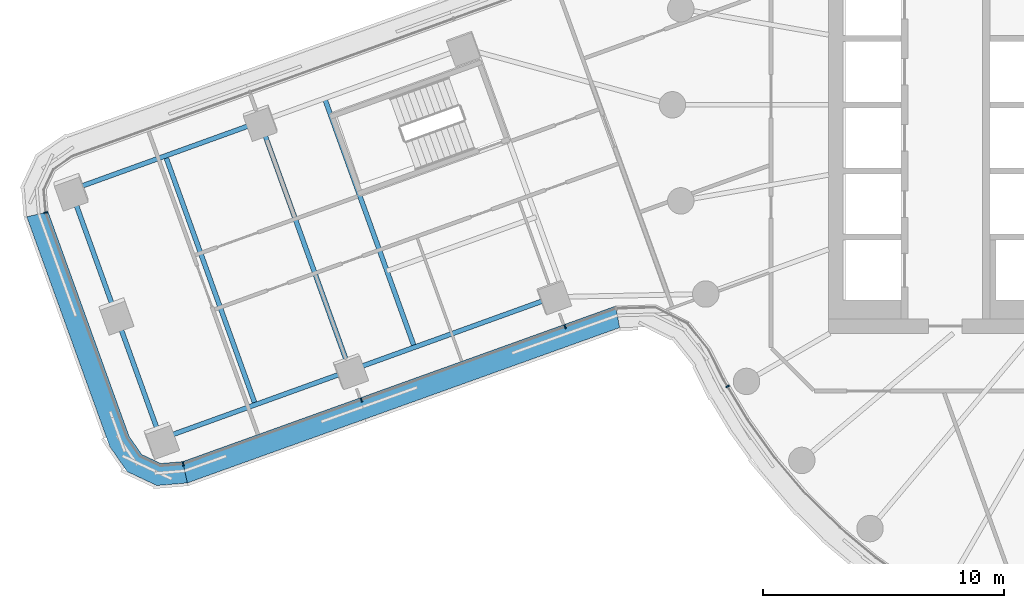
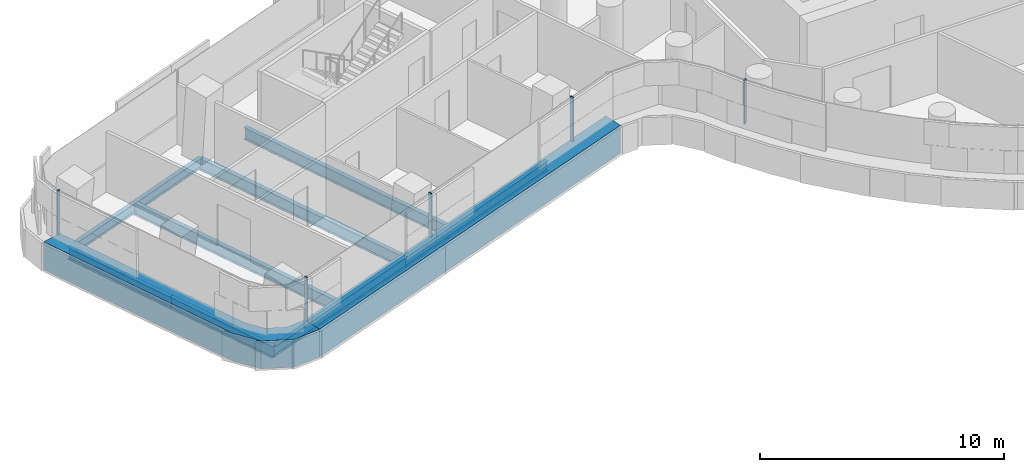
# One storey, part 4 of 30: 8 beams, 7 members, 3 elements without a shape of their own.
"""IFC4 building model written with IfcOpenShell, lengths in metres."""

from ifc_helpers import new_model, si_unit, direction, frame, origin, origin_2d, place, context, subcontext, project, spatial, polyline, rectangle, i_section, outline, extrude, material, layer, layer_set, material_profile, profile_set, type_object, element, aggregate, save


model = new_model("IFC4")

# Units and contexts
model_context = context("Model", 3, precision=1e-05, world=origin(), true_north=direction((0.0, 1.0)))
body_context = subcontext(model_context, "Body", "Model", "MODEL_VIEW")
ifc_project = project(units=[si_unit("LENGTHUNIT", "METRE"), si_unit("AREAUNIT", "SQUARE_METRE"), si_unit("VOLUMEUNIT", "CUBIC_METRE"), si_unit("PLANEANGLEUNIT", "RADIAN"), si_unit("MASSUNIT", "GRAM", prefix="KILO")], contexts=[model_context])

# Site, building, storey
site_placement = place(None, origin())
site = spatial("IfcSite", under=ifc_project, at=site_placement, CompositionType="ELEMENT")
building_placement = place(site_placement, origin())
building = spatial("IfcBuilding", under=site, at=building_placement, Name="Tamarind Cross Interchange Tower", CompositionType="ELEMENT")
storey_placement = place(building_placement, frame((0.0, 0.0, 106.0)))
storey = spatial("IfcBuildingStorey", under=building, at=storey_placement, Name="L25", CompositionType="ELEMENT", Elevation=106.0)

# Beams
ifc_material_1 = material(Name="Steel Q355B", Category="steel")
ifc_material_profile_1 = material_profile(ifc_material_1, i_section(OverallWidth=0.198974609375, OverallDepth=0.49609375, WebThickness=0.009033203125, FlangeThickness=0.013916015625, FilletRadius=0.012939453125, at=origin_2d()), Name="HN 496x199x9x14")
ifc_profile_set_1 = profile_set([ifc_material_profile_1], Name="Steel Q355B")
beam_type_1 = type_object("IfcBeamType", Name="Composite beam HN 496x199x9x14 Q355B", PredefinedType="BEAM", material=ifc_profile_set_1)
for number, where, z_axis, x_axis, name in (
    (1, (-48.010009765625, -3.54296875, -0.387939453125), (0.94057383392, 0.339589256227, 0.0), (-0.339589256227, 0.94057383392, 0.0), "Beam W-edgeem5"),
    (2, (-44.274658203125, -13.889404296875, -0.387939453125), (0.94057383392, 0.339589256227, 0.0), (-0.339589256227, 0.94057383392, 0.0), "Beam W-edgeep2"),
):
    element("IfcBeam", number, at=place(storey_placement, frame(where, z_axis=z_axis, x_axis=x_axis)), inside=storey, type_object=beam_type_1, Name=name, PredefinedType="BEAM", context=body_context, shape_type="SweptSolid", body=[
        extrude(i_section(OverallWidth=0.198974609375, OverallDepth=0.49609375, WebThickness=0.009033203125, FlangeThickness=0.013916015625, FilletRadius=0.012939453125, at=origin_2d()), origin(), (0.0, 0.0, 1.0), 8.36767578125),
    ])
beam_1_placement = place(storey_placement, frame((-36.404296875, -11.0478515625, -0.387939453125), z_axis=(0.940578209837, 0.339577135833, 0.0), x_axis=(-0.339577135833, 0.940578209837, 0.0)))
element("IfcBeam", 3, at=beam_1_placement, inside=storey, type_object=beam_type_1, Name="Beam W-edgeep3", PredefinedType="BEAM", context=body_context, shape_type="SweptSolid", body=[
    extrude(i_section(OverallWidth=0.198974609375, OverallDepth=0.49609375, WebThickness=0.009033203125, FlangeThickness=0.013916015625, FilletRadius=0.012939453125, at=origin_2d()), origin(), (0.0, 0.0, 1.0), 8.999755859375),
])
ifc_material_profile_2 = material_profile(ifc_material_1, i_section(OverallWidth=0.199951171875, OverallDepth=0.60009765625, WebThickness=0.010986328125, FlangeThickness=0.01708984375, FilletRadius=0.012939453125, at=origin_2d()), Name="HN 600x200x11x17")
ifc_profile_set_2 = profile_set([ifc_material_profile_2], Name="Steel Q355B")
beam_type_2 = type_object("IfcBeamType", Name="Composite beam HN 600x200x11x17 Q355B", PredefinedType="BEAM", material=ifc_profile_set_2)
beam_2_placement = place(storey_placement, frame((-48.010009765625, -3.54296875, -0.43994140625), z_axis=(0.339582286957, -0.940576350109, 0.0), x_axis=(0.940576350109, 0.339582286957, 0.0)))
element("IfcBeam", 4, at=beam_2_placement, inside=storey, type_object=beam_type_2, Name="Beam W-tip0", PredefinedType="BEAM", context=body_context, shape_type="SweptSolid", body=[
    extrude(i_section(OverallWidth=0.199951171875, OverallDepth=0.60009765625, WebThickness=0.010986328125, FlangeThickness=0.01708984375, FilletRadius=0.012939453125, at=origin_2d()), origin(), (0.0, 0.0, 1.0), 5.5),
])
beam_3_placement = place(storey_placement, frame((-46.142333984375, -8.716064453125, -0.43994140625), z_axis=(0.339568109259, -0.940581468653, 0.0), x_axis=(0.940581468653, 0.339568109259, 0.0)))
element("IfcBeam", 5, at=beam_3_placement, inside=storey, type_object=beam_type_2, Name="Beam W-tip1", PredefinedType="BEAM", context=body_context, shape_type="SweptSolid", body=[
    extrude(i_section(OverallWidth=0.199951171875, OverallDepth=0.60009765625, WebThickness=0.010986328125, FlangeThickness=0.01708984375, FilletRadius=0.012939453125, at=origin_2d()), origin(), (0.0, 0.0, 1.0), 5.500244140625),
])
for number, where, z_axis, x_axis, name in (
    (6, (-37.458984375, 0.266357421875, -0.43994140625), (0.33957519797, -0.940578909462, 0.0), (0.940578909462, 0.33957519797, 0.0), "Beam W-x364"),
    (7, (-40.1396484375, -0.701416015625, -0.43994140625), (0.33957519797, -0.940578909462, 0.0), (0.940578909462, 0.33957519797, 0.0), "Beam W-x393"),
):
    element("IfcBeam", number, at=place(storey_placement, frame(where, z_axis=z_axis, x_axis=x_axis)), inside=storey, type_object=beam_type_2, Name=name, PredefinedType="BEAM", context=body_context, shape_type="SweptSolid", body=[
        extrude(i_section(OverallWidth=0.199951171875, OverallDepth=0.60009765625, WebThickness=0.010986328125, FlangeThickness=0.01708984375, FilletRadius=0.012939453125, at=origin_2d()), origin(), (0.0, 0.0, 1.0), 11.0),
    ])
beam_4_placement = place(storey_placement, frame((-44.07470703125, -2.122314453125, -0.43994140625), z_axis=(0.339582286957, -0.940576350109, 0.0), x_axis=(0.940576350109, 0.339582286957, 0.0)))
element("IfcBeam", 8, at=beam_4_placement, inside=storey, type_object=beam_type_2, Name="Beam W-x435", PredefinedType="BEAM", context=body_context, shape_type="SweptSolid", body=[
    extrude(i_section(OverallWidth=0.199951171875, OverallDepth=0.60009765625, WebThickness=0.010986328125, FlangeThickness=0.01708984375, FilletRadius=0.012939453125, at=origin_2d()), origin(), (0.0, 0.0, 1.0), 10.999755859375),
])

# Curtain wall, member
ifc_material_2 = material(Name="Aluminium 6063-T6", Category="aluminium")
ifc_layer = layer(ifc_material_2, 0.159912109375)
ifc_layer_set = layer_set([ifc_layer], Name="Aluminium 6063-T6")
curtain_wall_type = type_object("IfcCurtainWallType", Name="Office curtain wall, 9.0 m bays", PredefinedType="NOTDEFINED", material=ifc_layer_set)
curtain_wall_1_placement = place(storey_placement, origin())
curtain_wall_1 = element("IfcCurtainWall", 9, at=curtain_wall_1_placement, inside=storey, type_object=curtain_wall_type, Name="CWS-L25-00", PredefinedType="NOTDEFINED")
ifc_material_3 = material(Name="Aluminium and insulated spandrel panel", Category="aluminium")
member_type_1 = type_object("IfcMemberType", Name="Floor-edge blade transom", PredefinedType="USERDEFINED", material=ifc_material_3)
member_1_placement = place(storey_placement, origin())
member_1 = element("IfcMember", 10, at=member_1_placement, type_object=member_type_1, Name="CWT-L25-00", ObjectType="TRANSOM", PredefinedType="USERDEFINED", context=body_context, shape_type="SweptSolid", body=[
    extrude(outline(polyline([(-48.955322265625, -4.457763671875), (-45.58642578125, -13.789306640625), (-45.0634765625, -14.54052734375), (-44.271728515625, -14.912109375), (-43.359375, -14.834716796875), (-43.166015625, -15.7216796875), (-44.43603515625, -15.829345703125), (-45.6640625, -15.252685546875), (-46.392822265625, -14.20654296875), (-49.84228515625, -4.652099609375), (-48.955322265625, -4.457763671875)])), origin(), (0.0, 0.0, 1.0), 1.39990234375),
])

curtain_wall_2_placement = place(storey_placement, origin())
curtain_wall_2 = element("IfcCurtainWall", 11, at=curtain_wall_2_placement, inside=storey, type_object=curtain_wall_type, Name="CWS-L25-01", PredefinedType="NOTDEFINED")
member_2_placement = place(storey_placement, origin())
member_2 = element("IfcMember", 12, at=member_2_placement, type_object=member_type_1, Name="CWT-L25-01", ObjectType="TRANSOM", PredefinedType="USERDEFINED", context=body_context, shape_type="SweptSolid", body=[
    extrude(outline(polyline([(-43.359375, -14.834716796875), (-25.362060546875, -8.368408203125), (-25.19287109375, -9.263916015625), (-43.166015625, -15.7216796875), (-43.359375, -14.834716796875)])), origin(), (0.0, 0.0, 1.0), 1.39990234375),
])

# Member
ifc_material_profile_3 = material_profile(ifc_material_2, rectangle(XDim=0.06005859375, YDim=0.159912109375, at=origin_2d()), Name="Mullion CW1")
ifc_profile_set_3 = profile_set([ifc_material_profile_3], Name="Aluminium 6063-T6")
member_type_2 = type_object("IfcMemberType", Name="Mullion CW1", PredefinedType="MULLION", material=ifc_profile_set_3)
member_3_placement = place(storey_placement, frame((-49.053955078125, -4.4794921875, 1.39990234375), z_axis=(0.0, 0.0, 1.0), x_axis=(0.213903397408, -0.976854818577, 0.0)))
member_3 = element("IfcMember", 13, at=member_3_placement, type_object=member_type_2, Name="CWM-L25-00-00", PredefinedType="MULLION", context=body_context, shape_type="SweptSolid", body=[
    extrude(rectangle(XDim=0.06005859375, YDim=0.159912109375, at=origin_2d()), origin(), (0.0, 0.0, 1.0), 2.210205078125),
])

aggregate(curtain_wall_1, [member_3, member_1])

member_4_placement = place(storey_placement, frame((-43.337890625, -14.933349609375, 1.39990234375), z_axis=(0.0, 0.0, 1.0), x_axis=(0.977019319817, 0.213150765198, 0.0)))
member_4 = element("IfcMember", 14, at=member_4_placement, type_object=member_type_2, Name="CWM-L25-01-00", PredefinedType="MULLION", context=body_context, shape_type="SweptSolid", body=[
    extrude(rectangle(XDim=0.06005859375, YDim=0.159912109375, at=origin_2d()), origin(), (0.0, 0.0, 1.0), 2.210205078125),
])

member_5_placement = place(storey_placement, frame((-35.931640625, -12.272216796875, 1.39990234375), z_axis=(0.0, 0.0, 1.0), x_axis=(0.941099800074, 0.338128919647, 0.0)))
member_5 = element("IfcMember", 15, at=member_5_placement, type_object=member_type_2, Name="CWM-L25-01-01", PredefinedType="MULLION", context=body_context, shape_type="SweptSolid", body=[
    extrude(rectangle(XDim=0.06005859375, YDim=0.159912109375, at=origin_2d()), origin(), (0.0, 0.0, 1.0), 2.210205078125),
])

member_6_placement = place(storey_placement, frame((-27.459228515625, -9.228271484375, 1.39990234375), z_axis=(0.0, 0.0, 1.0), x_axis=(0.941099800074, 0.338128919647, 0.0)))
member_6 = element("IfcMember", 16, at=member_6_placement, type_object=member_type_2, Name="CWM-L25-01-02", PredefinedType="MULLION", context=body_context, shape_type="SweptSolid", body=[
    extrude(rectangle(XDim=0.06005859375, YDim=0.159912109375, at=origin_2d()), origin(), (0.0, 0.0, 1.0), 2.210205078125),
])

aggregate(curtain_wall_2, [member_4, member_5, member_6, member_2])

# Curtain wall, member
curtain_wall_3_placement = place(storey_placement, origin())
curtain_wall_3 = element("IfcCurtainWall", 17, at=curtain_wall_3_placement, inside=storey, type_object=curtain_wall_type, Name="CWS-L25-02", PredefinedType="NOTDEFINED")
member_7_placement = place(storey_placement, frame((-20.703857421875, -11.706298828125, 1.39990234375), z_axis=(0.0, 0.0, 1.0), x_axis=(0.515577308909, -0.856843065292, 0.0)))
member_7 = element("IfcMember", 18, at=member_7_placement, type_object=member_type_2, Name="CWM-L25-02-01", PredefinedType="MULLION", context=body_context, shape_type="SweptSolid", body=[
    extrude(rectangle(XDim=0.06005859375, YDim=0.159912109375, at=origin_2d()), origin(), (0.0, 0.0, 1.0), 2.210205078125),
])
aggregate(curtain_wall_3, [member_7])

save(model, "model.ifc")
